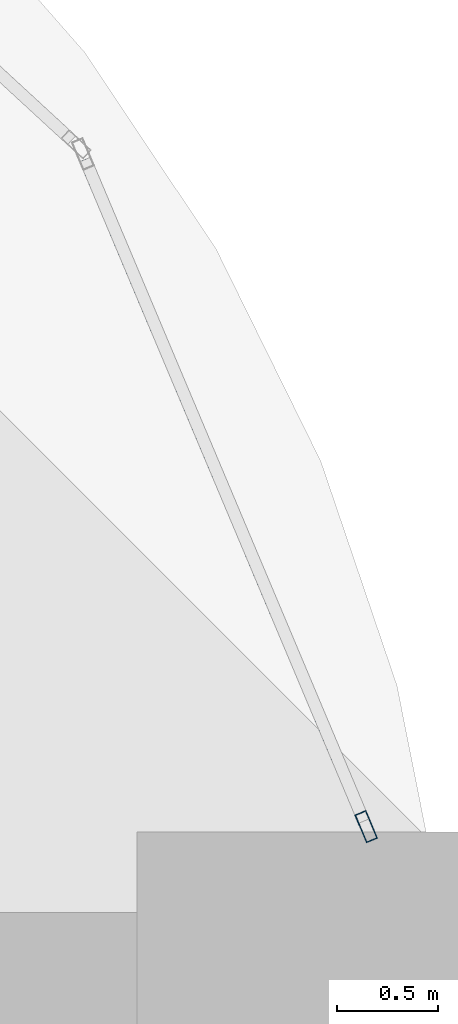
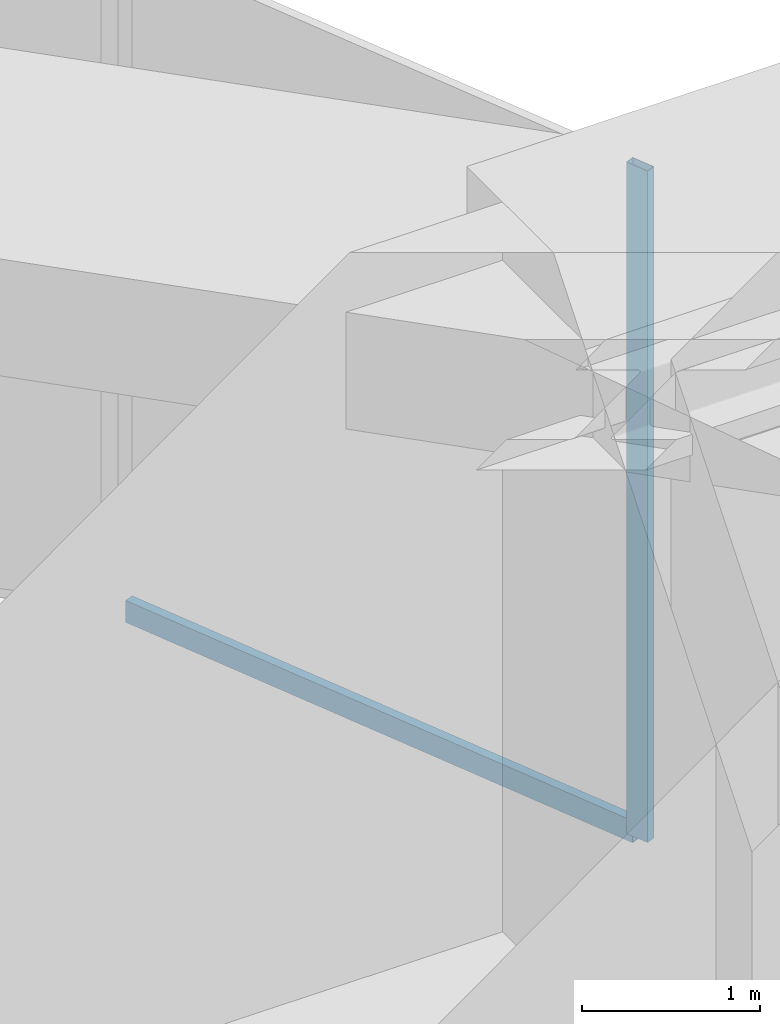
# One storey, part 31 of 38: 2 members, 1 element without a shape of its own.
"""IFC4 building model written with IfcOpenShell, lengths in metres."""

from ifc_helpers import new_model, si_unit, direction, frame, origin, origin_2d, place, context, subcontext, project, spatial, hollow_rectangle, extrude, material, material_profile, profile_set, type_object, element, aggregate, save


model = new_model("IFC4")

# Units and contexts
model_context = context("Model", 3, precision=1e-05, world=origin(), true_north=direction((0.0, 1.0)))
body_context = subcontext(model_context, "Body", "Model", "MODEL_VIEW")
ifc_project = project(units=[si_unit("LENGTHUNIT", "METRE"), si_unit("AREAUNIT", "SQUARE_METRE"), si_unit("VOLUMEUNIT", "CUBIC_METRE"), si_unit("PLANEANGLEUNIT", "RADIAN"), si_unit("MASSUNIT", "GRAM", prefix="KILO")], contexts=[model_context])

# Site, building, storey
site_placement = place(None, origin())
site = spatial("IfcSite", under=ifc_project, at=site_placement, CompositionType="ELEMENT")
building_placement = place(site_placement, origin())
building = spatial("IfcBuilding", under=site, at=building_placement, Name="Zorevar Civic Tower", CompositionType="ELEMENT")
storey_placement = place(building_placement, frame((0.0, 0.0, 157.199951171875)))
storey = spatial("IfcBuildingStorey", under=building, at=storey_placement, Name="L38", CompositionType="ELEMENT", Elevation=157.199951171875)

# Curtain wall, members
ifc_material_1 = material(Name="Black aluminium louvres", Category="aluminium")
curtain_wall_type = type_object("IfcCurtainWallType", Name="Louvred curtain wall CW6 refuge", PredefinedType="NOTDEFINED", material=ifc_material_1)
curtain_wall_placement = place(storey_placement, origin())
curtain_wall = element("IfcCurtainWall", 1, at=curtain_wall_placement, inside=storey, type_object=curtain_wall_type, Name="CW6 L38", PredefinedType="NOTDEFINED")
ifc_material_2 = material(Name="Aluminium, black anodised", Category="aluminium")
ifc_material_profile_1 = material_profile(ifc_material_2, hollow_rectangle(XDim=0.06005859375, YDim=0.14990234375, WallThickness=0.00390625, at=origin_2d()), Name="AL 150x60x4")
ifc_profile_set_1 = profile_set([ifc_material_profile_1], Name="Aluminium, black anodised")
member_type_1 = type_object("IfcMemberType", Name="CW6 mullion AL 150x60x4", PredefinedType="MULLION", material=ifc_profile_set_1)
member_1_placement = place(storey_placement, frame((62.539794921875, 37.627685546875, 0.0), z_axis=(0.0, 0.0, 1.0), x_axis=(-0.921581744025, -0.388184349349, 0.0)))
member_1 = element("IfcMember", 2, at=member_1_placement, type_object=member_type_1, Name="CW6 mullion 1", PredefinedType="MULLION", context=body_context, shape_type="SweptSolid", body=[
    extrude(hollow_rectangle(XDim=0.06005859375, YDim=0.14990234375, WallThickness=0.00390625, at=origin_2d()), origin(), (0.0, 0.0, 1.0), 4.60009765625),
])
ifc_material_3 = material(Name="Aluminium, black anodised", Category="aluminium")
ifc_material_profile_2 = material_profile(ifc_material_3, hollow_rectangle(XDim=0.06005859375, YDim=0.14990234375, WallThickness=0.00390625, at=origin_2d()), Name="AL 150x60x4")
ifc_profile_set_2 = profile_set([ifc_material_profile_2], Name="Aluminium, black anodised")
member_type_2 = type_object("IfcMemberType", Name="CW6 transom AL 150x60x4", PredefinedType="USERDEFINED", material=ifc_profile_set_2)
member_2_placement = place(storey_placement, frame((62.5283203125, 37.6552734375, 0.030029296875), z_axis=(-0.388200676534, 0.921574866594, 0.0), x_axis=(-0.921574866594, -0.388200676534, 0.0)))
member_2 = element("IfcMember", 3, at=member_2_placement, type_object=member_type_2, Name="CW6 sill transom", ObjectType="TRANSOM", PredefinedType="USERDEFINED", context=body_context, shape_type="SweptSolid", body=[
    extrude(hollow_rectangle(XDim=0.06005859375, YDim=0.14990234375, WallThickness=0.00390625, at=origin_2d()), origin(), (0.0, 0.0, 1.0), 3.5703125),
])
aggregate(curtain_wall, [member_1, member_2])

save(model, "model.ifc")
